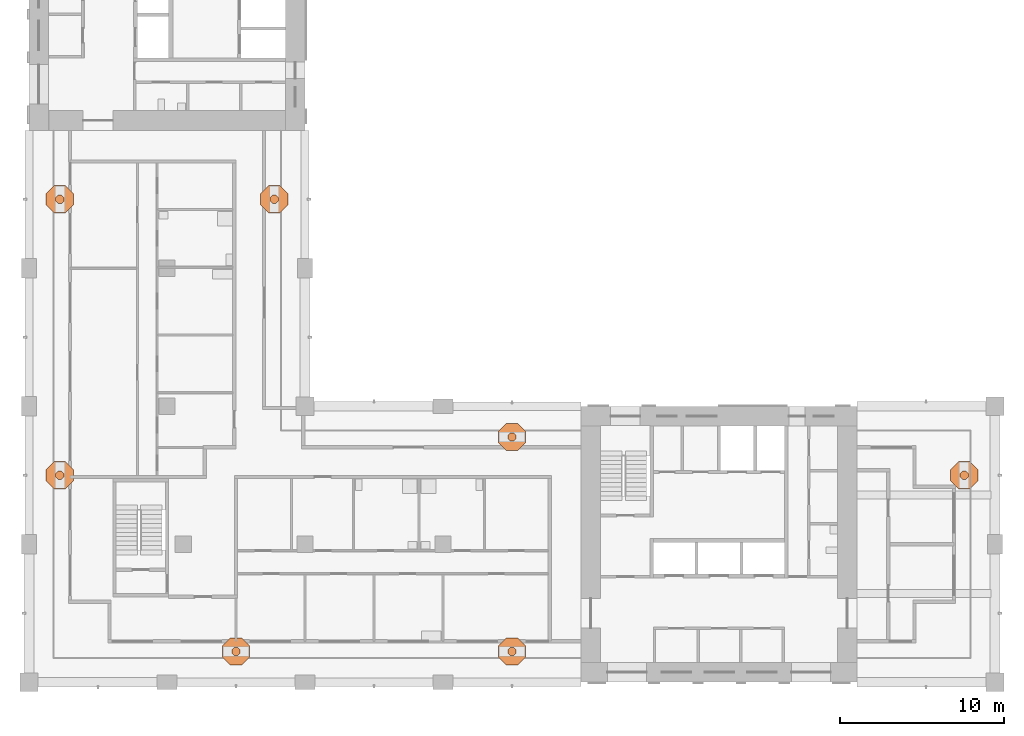
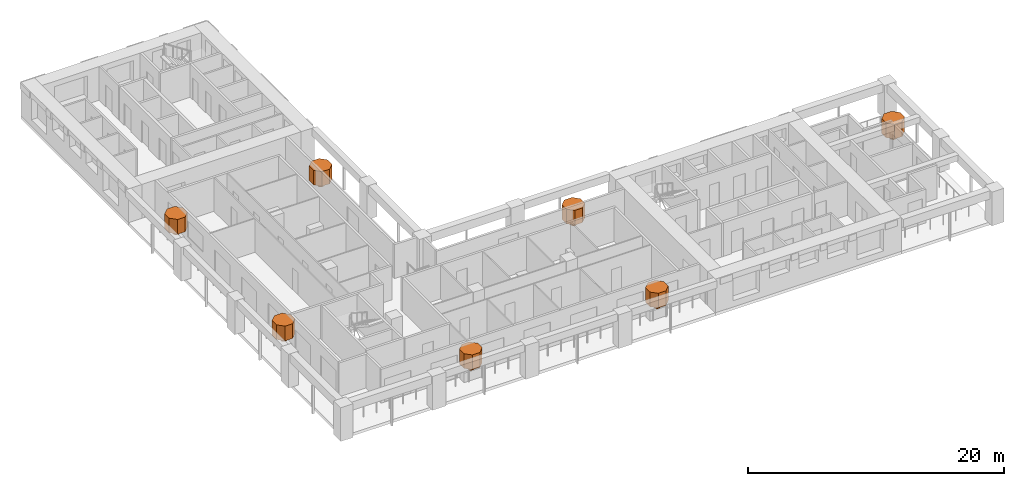
# One storey, part 13 of 13: 14 geographic elements.
"""IFC4 building model written with IfcOpenShell, lengths in metres."""

from ifc_helpers import new_model, si_unit, direction, frame, origin, place, context, subcontext, project, spatial, polyline, outline, extrude, material, element, save


model = new_model("IFC4")

# Units and contexts
model_context = context("Model", 3, precision=1e-05, world=origin(), true_north=direction((0.0, 1.0)))
body_context = subcontext(model_context, "Body", "Model", "MODEL_VIEW")
ifc_project = project(units=[si_unit("LENGTHUNIT", "METRE"), si_unit("AREAUNIT", "SQUARE_METRE"), si_unit("VOLUMEUNIT", "CUBIC_METRE"), si_unit("PLANEANGLEUNIT", "RADIAN"), si_unit("MASSUNIT", "GRAM", prefix="KILO")], contexts=[model_context])

# Site, building, storey
site_placement = place(None, origin())
site = spatial("IfcSite", under=ifc_project, at=site_placement, CompositionType="ELEMENT")
building_placement = place(site_placement, origin())
building = spatial("IfcBuilding", under=site, at=building_placement, Name="Vermilion Gate Residences", CompositionType="ELEMENT")
storey_placement = place(building_placement, frame((0.0, 0.0, 189.699951171875)))
storey = spatial("IfcBuildingStorey", under=building, at=storey_placement, Name="L49", CompositionType="ELEMENT", Elevation=189.699951171875)

# Geographic elements
ifc_material = material(Name="Foliage")
geographic_element_1_placement = place(storey_placement, frame((0.0, 0.0, 0.900146484375)))
element("IfcGeographicElement", 1, at=geographic_element_1_placement, inside=storey, material=ifc_material, Name="Tree (maple)", ObjectType="TREE", PredefinedType="USERDEFINED", context=body_context, shape_type="SweptSolid", body=[
    extrude(outline(polyline([(21.254150390625, 10.380126953125), (21.105224609375, 10.529052734375), (20.894775390625, 10.529052734375), (20.745849609375, 10.380126953125), (20.745849609375, 10.169921875), (20.894775390625, 10.02099609375), (21.105224609375, 10.02099609375), (21.254150390625, 10.169921875), (21.254150390625, 10.380126953125)])), origin(), (0.0, 0.0, 1.0), 0.52001953125),
])
geographic_element_2_placement = place(storey_placement, frame((0.0, 0.0, 1.420166015625)))
element("IfcGeographicElement", 2, at=geographic_element_2_placement, inside=storey, material=ifc_material, Name="Tree crown (maple)", ObjectType="TREE", PredefinedType="USERDEFINED", context=body_context, shape_type="SweptSolid", body=[
    extrude(outline(polyline([(21.83154296875, 10.619384765625), (21.344482421875, 11.1064453125), (20.655517578125, 11.1064453125), (20.16845703125, 10.619384765625), (20.16845703125, 9.9306640625), (20.655517578125, 9.443603515625), (21.344482421875, 9.443603515625), (21.83154296875, 9.9306640625), (21.83154296875, 10.619384765625)])), origin(), (0.0, 0.0, 1.0), 1.39990234375),
])
geographic_element_3_placement = place(storey_placement, frame((0.0, 0.0, 0.900146484375)))
element("IfcGeographicElement", 3, at=geographic_element_3_placement, inside=storey, material=ifc_material, Name="Tree (black pine)", ObjectType="TREE", PredefinedType="USERDEFINED", context=body_context, shape_type="SweptSolid", body=[
    extrude(outline(polyline([(38.05419921875, 10.380126953125), (37.9052734375, 10.529052734375), (37.69482421875, 10.529052734375), (37.5458984375, 10.380126953125), (37.5458984375, 10.169921875), (37.69482421875, 10.02099609375), (37.9052734375, 10.02099609375), (38.05419921875, 10.169921875), (38.05419921875, 10.380126953125)])), origin(), (0.0, 0.0, 1.0), 0.52001953125),
])
geographic_element_4_placement = place(storey_placement, frame((0.0, 0.0, 1.420166015625)))
element("IfcGeographicElement", 4, at=geographic_element_4_placement, inside=storey, material=ifc_material, Name="Tree crown (black pine)", ObjectType="TREE", PredefinedType="USERDEFINED", context=body_context, shape_type="SweptSolid", body=[
    extrude(outline(polyline([(38.631591796875, 10.619384765625), (38.144287109375, 11.1064453125), (37.45556640625, 11.1064453125), (36.968505859375, 10.619384765625), (36.968505859375, 9.9306640625), (37.45556640625, 9.443603515625), (38.144287109375, 9.443603515625), (38.631591796875, 9.9306640625), (38.631591796875, 10.619384765625)])), origin(), (0.0, 0.0, 1.0), 1.39990234375),
])
geographic_element_5_placement = place(storey_placement, frame((0.0, 0.0, 0.900146484375)))
element("IfcGeographicElement", 5, at=geographic_element_5_placement, inside=storey, material=ifc_material, Name="Tree (maple)", ObjectType="TREE", PredefinedType="USERDEFINED", context=body_context, shape_type="SweptSolid", body=[
    extrude(outline(polyline([(65.5791015625, 21.105224609375), (65.43017578125, 21.254150390625), (65.2197265625, 21.254150390625), (65.07080078125, 21.105224609375), (65.07080078125, 20.894775390625), (65.2197265625, 20.745849609375), (65.43017578125, 20.745849609375), (65.5791015625, 20.894775390625), (65.5791015625, 21.105224609375)])), origin(), (0.0, 0.0, 1.0), 0.52001953125),
])
geographic_element_6_placement = place(storey_placement, frame((0.0, 0.0, 1.420166015625)))
element("IfcGeographicElement", 6, at=geographic_element_6_placement, inside=storey, material=ifc_material, Name="Tree crown (maple)", ObjectType="TREE", PredefinedType="USERDEFINED", context=body_context, shape_type="SweptSolid", body=[
    extrude(outline(polyline([(66.156494140625, 21.344482421875), (65.66943359375, 21.83154296875), (64.980712890625, 21.83154296875), (64.493408203125, 21.344482421875), (64.493408203125, 20.655517578125), (64.980712890625, 20.16845703125), (65.66943359375, 20.16845703125), (66.156494140625, 20.655517578125), (66.156494140625, 21.344482421875)])), origin(), (0.0, 0.0, 1.0), 1.39990234375),
])
geographic_element_7_placement = place(storey_placement, frame((0.0, 0.0, 0.900146484375)))
element("IfcGeographicElement", 7, at=geographic_element_7_placement, inside=storey, material=ifc_material, Name="Tree (black pine)", ObjectType="TREE", PredefinedType="USERDEFINED", context=body_context, shape_type="SweptSolid", body=[
    extrude(outline(polyline([(38.05419921875, 23.43017578125), (37.9052734375, 23.5791015625), (37.69482421875, 23.5791015625), (37.5458984375, 23.43017578125), (37.5458984375, 23.2197265625), (37.69482421875, 23.07080078125), (37.9052734375, 23.07080078125), (38.05419921875, 23.2197265625), (38.05419921875, 23.43017578125)])), origin(), (0.0, 0.0, 1.0), 0.52001953125),
])
geographic_element_8_placement = place(storey_placement, frame((0.0, 0.0, 1.420166015625)))
element("IfcGeographicElement", 8, at=geographic_element_8_placement, inside=storey, material=ifc_material, Name="Tree crown (black pine)", ObjectType="TREE", PredefinedType="USERDEFINED", context=body_context, shape_type="SweptSolid", body=[
    extrude(outline(polyline([(38.631591796875, 23.66943359375), (38.144287109375, 24.156494140625), (37.45556640625, 24.156494140625), (36.968505859375, 23.66943359375), (36.968505859375, 22.980712890625), (37.45556640625, 22.493408203125), (38.144287109375, 22.493408203125), (38.631591796875, 22.980712890625), (38.631591796875, 23.66943359375)])), origin(), (0.0, 0.0, 1.0), 1.39990234375),
])
geographic_element_9_placement = place(storey_placement, frame((0.0, 0.0, 0.900146484375)))
element("IfcGeographicElement", 9, at=geographic_element_9_placement, inside=storey, material=ifc_material, Name="Tree (black pine)", ObjectType="TREE", PredefinedType="USERDEFINED", context=body_context, shape_type="SweptSolid", body=[
    extrude(outline(polyline([(23.5791015625, 37.9052734375), (23.43017578125, 38.05419921875), (23.2197265625, 38.05419921875), (23.07080078125, 37.9052734375), (23.07080078125, 37.69482421875), (23.2197265625, 37.5458984375), (23.43017578125, 37.5458984375), (23.5791015625, 37.69482421875), (23.5791015625, 37.9052734375)])), origin(), (0.0, 0.0, 1.0), 0.52001953125),
])
geographic_element_10_placement = place(storey_placement, frame((0.0, 0.0, 1.420166015625)))
element("IfcGeographicElement", 10, at=geographic_element_10_placement, inside=storey, material=ifc_material, Name="Tree crown (black pine)", ObjectType="TREE", PredefinedType="USERDEFINED", context=body_context, shape_type="SweptSolid", body=[
    extrude(outline(polyline([(24.156494140625, 38.144287109375), (23.66943359375, 38.631591796875), (22.980712890625, 38.631591796875), (22.493408203125, 38.144287109375), (22.493408203125, 37.45556640625), (22.980712890625, 36.968505859375), (23.66943359375, 36.968505859375), (24.156494140625, 37.45556640625), (24.156494140625, 38.144287109375)])), origin(), (0.0, 0.0, 1.0), 1.39990234375),
])
geographic_element_11_placement = place(storey_placement, frame((0.0, 0.0, 0.900146484375)))
element("IfcGeographicElement", 11, at=geographic_element_11_placement, inside=storey, material=ifc_material, Name="Tree (maple)", ObjectType="TREE", PredefinedType="USERDEFINED", context=body_context, shape_type="SweptSolid", body=[
    extrude(outline(polyline([(10.529052734375, 21.105224609375), (10.380126953125, 21.254150390625), (10.169921875, 21.254150390625), (10.02099609375, 21.105224609375), (10.02099609375, 20.894775390625), (10.169921875, 20.745849609375), (10.380126953125, 20.745849609375), (10.529052734375, 20.894775390625), (10.529052734375, 21.105224609375)])), origin(), (0.0, 0.0, 1.0), 0.52001953125),
])
geographic_element_12_placement = place(storey_placement, frame((0.0, 0.0, 1.420166015625)))
element("IfcGeographicElement", 12, at=geographic_element_12_placement, inside=storey, material=ifc_material, Name="Tree crown (maple)", ObjectType="TREE", PredefinedType="USERDEFINED", context=body_context, shape_type="SweptSolid", body=[
    extrude(outline(polyline([(11.1064453125, 21.344482421875), (10.619384765625, 21.83154296875), (9.9306640625, 21.83154296875), (9.443603515625, 21.344482421875), (9.443603515625, 20.655517578125), (9.9306640625, 20.16845703125), (10.619384765625, 20.16845703125), (11.1064453125, 20.655517578125), (11.1064453125, 21.344482421875)])), origin(), (0.0, 0.0, 1.0), 1.39990234375),
])
geographic_element_13_placement = place(storey_placement, frame((0.0, 0.0, 0.900146484375)))
element("IfcGeographicElement", 13, at=geographic_element_13_placement, inside=storey, material=ifc_material, Name="Tree (black pine)", ObjectType="TREE", PredefinedType="USERDEFINED", context=body_context, shape_type="SweptSolid", body=[
    extrude(outline(polyline([(10.529052734375, 37.9052734375), (10.380126953125, 38.05419921875), (10.169921875, 38.05419921875), (10.02099609375, 37.9052734375), (10.02099609375, 37.69482421875), (10.169921875, 37.5458984375), (10.380126953125, 37.5458984375), (10.529052734375, 37.69482421875), (10.529052734375, 37.9052734375)])), origin(), (0.0, 0.0, 1.0), 0.52001953125),
])
geographic_element_14_placement = place(storey_placement, frame((0.0, 0.0, 1.420166015625)))
element("IfcGeographicElement", 14, at=geographic_element_14_placement, inside=storey, material=ifc_material, Name="Tree crown (black pine)", ObjectType="TREE", PredefinedType="USERDEFINED", context=body_context, shape_type="SweptSolid", body=[
    extrude(outline(polyline([(11.1064453125, 38.144287109375), (10.619384765625, 38.631591796875), (9.9306640625, 38.631591796875), (9.443603515625, 38.144287109375), (9.443603515625, 37.45556640625), (9.9306640625, 36.968505859375), (10.619384765625, 36.968505859375), (11.1064453125, 37.45556640625), (11.1064453125, 38.144287109375)])), origin(), (0.0, 0.0, 1.0), 1.39990234375),
])

save(model, "model.ifc")
